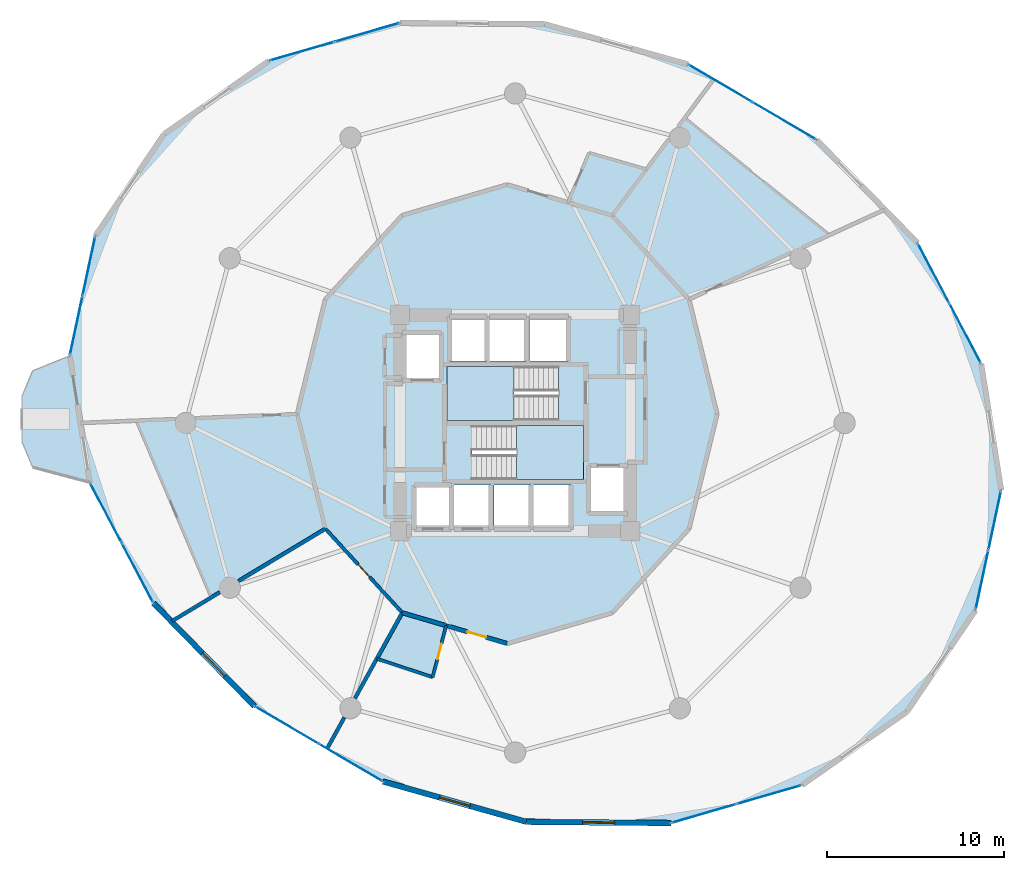
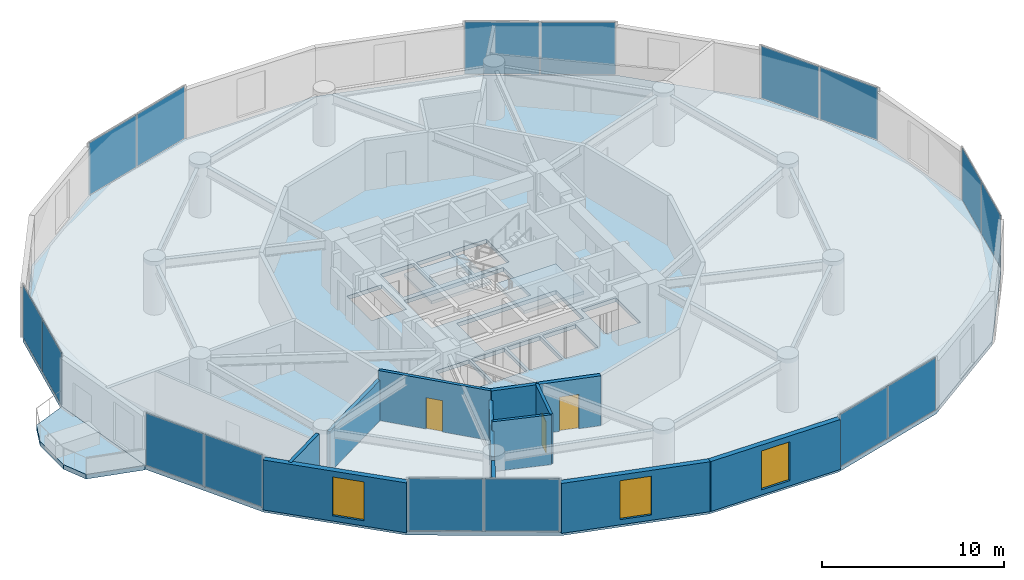
# One storey, part 19 of 24: 16 plates, 12 walls, 4 slabs, 3 doors, 3 windows, 6 openings, 10 elements without a shape of their own.
"""IFC4 building model written with IfcOpenShell, lengths in metres."""

from ifc_helpers import new_model, si_unit, direction, frame, frame_2d, origin, origin_2d, place, context, subcontext, project, spatial, polyline, rectangle, outline, extrude, source, transform, mapped, material, layer, layer_set, type_object, element, fill, aggregate, save


model = new_model("IFC4")

# Units and contexts
model_context = context("Model", 3, precision=1e-05, world=origin(), true_north=direction((0.0, 1.0)))
body_context = subcontext(model_context, "Body", "Model", "MODEL_VIEW")
ifc_project = project(units=[si_unit("LENGTHUNIT", "METRE"), si_unit("AREAUNIT", "SQUARE_METRE"), si_unit("VOLUMEUNIT", "CUBIC_METRE"), si_unit("PLANEANGLEUNIT", "RADIAN"), si_unit("MASSUNIT", "GRAM", prefix="KILO")], contexts=[model_context])

# Site, building, storey
site_placement = place(None, origin())
site = spatial("IfcSite", under=ifc_project, at=site_placement, CompositionType="ELEMENT")
building_placement = place(site_placement, origin())
building = spatial("IfcBuilding", under=site, at=building_placement, Name="Solvirekh Grand Hotel", CompositionType="ELEMENT")
storey_placement = place(building_placement, frame((0.0, 0.0, 82.39990234375)))
storey = spatial("IfcBuildingStorey", under=building, at=storey_placement, Name="L20", CompositionType="ELEMENT", Elevation=82.39990234375)

# Slab
ifc_material_1 = material(Name="Concrete C50/60", Category="concrete")
ifc_layer_1 = layer(ifc_material_1, 0.31005859375)
ifc_layer_set_1 = layer_set([ifc_layer_1], Name="Concrete C50/60")
slab_type_1 = type_object("IfcSlabType", Name="ExtHornSkyGarden_310", PredefinedType="FLOOR", material=ifc_layer_set_1)
slab_1_placement = place(storey_placement, frame((0.0, 0.0, -0.309814453125)))
element("IfcSlab", 1, at=slab_1_placement, inside=storey, type_object=slab_type_1, Name="L20 west horn sky-garden deck", PredefinedType="FLOOR", context=body_context, shape_type="SweptSolid", body=[
    extrude(outline(polyline([(-27.240966796875, 2.93701171875), (-27.841064453125, 1.508056640625), (-27.841064453125, -1.06494140625), (-27.240966796875, -2.493896484375), (-24.011962890625, -3.35107421875), (-25.14111328125, 3.7939453125), (-27.240966796875, 2.93701171875)])), origin(), (0.0, 0.0, 1.0), 0.309814453125),
])

# Stair, slab
ifc_material_2 = material(Name="Concrete C40/50", Category="concrete")
stair_type = type_object("IfcStairType", Name="Stair_Core_1450", PredefinedType="HALF_TURN_STAIR", material=ifc_material_2)
stair_1_placement = place(storey_placement, origin())
stair_1 = element("IfcStair", 2, at=stair_1_placement, inside=storey, type_object=stair_type, Name="L20 Enclosed exit stair ST-1", PredefinedType="HALF_TURN_STAIR")
ifc_layer_2 = layer(ifc_material_2, 0.199951171875)
ifc_layer_set_2 = layer_set([ifc_layer_2], Name="Concrete C40/50")
slab_type_2 = type_object("IfcSlabType", Name="Landing_Stair_200", PredefinedType="LANDING", material=ifc_layer_set_2)
slab_2_placement = place(storey_placement, frame((0.0, 0.0, 1.60009765625)))
slab_2 = element("IfcSlab", 3, at=slab_2_placement, type_object=slab_type_2, Name="ST-1 landing 1", PredefinedType="LANDING", context=body_context, shape_type="SweptSolid", body=[
    extrude(outline(polyline([(0.070068359375, -3.199951171875), (3.85009765625, -3.199951171875), (3.85009765625, -0.14990234375), (0.070068359375, -0.14990234375), (0.070068359375, -3.199951171875)])), origin(), (0.0, 0.0, 1.0), 0.199951171875),
])
aggregate(stair_1, [slab_2])

stair_2_placement = place(storey_placement, origin())
stair_2 = element("IfcStair", 4, at=stair_2_placement, inside=storey, type_object=stair_type, Name="L20 Enclosed exit stair ST-2", PredefinedType="HALF_TURN_STAIR")
slab_3_placement = place(storey_placement, frame((0.0, 0.0, 1.60009765625)))
slab_3 = element("IfcSlab", 5, at=slab_3_placement, type_object=slab_type_2, Name="ST-2 landing 1", PredefinedType="LANDING", context=body_context, shape_type="SweptSolid", body=[
    extrude(outline(polyline([(-0.070068359375, 3.199951171875), (-3.85009765625, 3.199951171875), (-3.85009765625, 0.14990234375), (-0.070068359375, 0.14990234375), (-0.070068359375, 3.199951171875)])), origin(), (0.0, 0.0, 1.0), 0.199951171875),
])
aggregate(stair_2, [slab_3])

# Slab
ifc_layer_3 = layer(ifc_material_1, 0.260009765625)
ifc_layer_set_3 = layer_set([ifc_layer_3], Name="Concrete C50/60")
slab_type_3 = type_object("IfcSlabType", Name="Slab_GuestZ1_260", PredefinedType="FLOOR", material=ifc_layer_set_3)
slab_4_placement = place(storey_placement, frame((0.0, 0.0, -0.260009765625)))
element("IfcSlab", 6, at=slab_4_placement, inside=storey, type_object=slab_type_3, Name="L20 structural floor slab", PredefinedType="FLOOR", context=body_context, shape_type="SweptSolid", body=[
    extrude(outline(polyline([(25.99609375, -10.56689453125), (27.44091796875, -3.7939453125), (26.31201171875, 3.35107421875), (22.719970703125, 10.1669921875), (17.01708984375, 15.989013671875), (9.760009765625, 20.2451171875), (1.660888671875, 22.52001953125), (-6.488037109375, 22.590087890625), (-13.889892578125, 20.448974609375), (-19.819091796875, 16.305908203125), (-23.696044921875, 10.56689453125), (-25.14111328125, 3.7939453125), (-24.011962890625, -3.35107421875), (-20.419921875, -10.1669921875), (-14.717041015625, -15.989013671875), (-7.4599609375, -20.2451171875), (0.638916015625, -22.52001953125), (8.7880859375, -22.590087890625), (16.18994140625, -20.448974609375), (22.118896484375, -16.305908203125), (25.99609375, -10.56689453125)]), holes=[polyline([(-2.444091796875, -0.14990234375), (3.85009765625, -0.14990234375), (3.85009765625, -3.199951171875), (-2.444091796875, -3.199951171875), (-2.444091796875, -0.14990234375)]), polyline([(2.444091796875, 0.14990234375), (-3.85009765625, 0.14990234375), (-3.85009765625, 3.199951171875), (2.444091796875, 3.199951171875), (2.444091796875, 0.14990234375)]), polyline([(-5.699951171875, -3.5), (-3.60009765625, -3.5), (-3.60009765625, -6.0), (-5.699951171875, -6.0), (-5.699951171875, -3.5)]), polyline([(-3.449951171875, -3.5), (-1.35009765625, -3.5), (-1.35009765625, -6.0), (-3.449951171875, -6.0), (-3.449951171875, -3.5)]), polyline([(-1.199951171875, -3.5), (0.89990234375, -3.5), (0.89990234375, -6.0), (-1.199951171875, -6.0), (-1.199951171875, -3.5)]), polyline([(1.050048828125, -3.5), (3.14990234375, -3.5), (3.14990234375, -6.0), (1.050048828125, -6.0), (1.050048828125, -3.5)]), polyline([(-3.699951171875, 6.0), (-1.60009765625, 6.0), (-1.60009765625, 3.5), (-3.699951171875, 3.5), (-3.699951171875, 6.0)]), polyline([(-1.449951171875, 6.0), (0.64990234375, 6.0), (0.64990234375, 3.5), (-1.449951171875, 3.5), (-1.449951171875, 6.0)]), polyline([(0.800048828125, 6.0), (3.0, 6.0), (3.0, 3.5), (0.800048828125, 3.5), (0.800048828125, 6.0)]), polyline([(-6.35009765625, 5.10009765625), (-4.14990234375, 5.10009765625), (-4.14990234375, 2.39990234375), (-6.35009765625, 2.39990234375), (-6.35009765625, 5.10009765625)]), polyline([(4.14990234375, -2.39990234375), (6.35009765625, -2.39990234375), (6.35009765625, -5.10009765625), (4.14990234375, -5.10009765625), (4.14990234375, -2.39990234375)])]), origin(), (0.0, 0.0, 1.0), 0.260009765625),
])

# Curtain wall, plates
ifc_material_3 = material(Name="Anodized Bronze Aluminium 6063-T6", Category="aluminium")
ifc_layer_4 = layer(ifc_material_3, 0.18994140625)
ifc_layer_set_4 = layer_set([ifc_layer_4], Name="Anodized Bronze Aluminium 6063-T6")
curtain_wall_type = type_object("IfcCurtainWallType", Name="CW_Sys2_LowZoneFlushBronzeCW", PredefinedType="NOTDEFINED", material=ifc_layer_set_4)
curtain_wall_1_placement = place(storey_placement, origin())
curtain_wall_1 = element("IfcCurtainWall", 7, at=curtain_wall_1_placement, inside=storey, type_object=curtain_wall_type, Name="L20 unitised bronze-glass curtain wall CW-L20-C05", PredefinedType="NOTDEFINED")
ifc_material_4 = material(Name="Low-E Tinted Bronze Laminated Glass", Category="aluminium")
ifc_layer_5 = layer(ifc_material_4, 0.0380859375)
ifc_layer_set_5 = layer_set([ifc_layer_5], Name="Low-E Tinted Bronze Laminated Glass")
plate_type = type_object("IfcPlateType", Name="CWPanel_Low_38", PredefinedType="CURTAIN_PANEL", material=ifc_layer_set_5)
shared_shape_1 = source(origin(), body_context, "Body", "SweptSolid", [
    extrude(rectangle(XDim=4.1015625, YDim=0.0380859375, at=origin_2d()), origin(), (0.0, 0.0, 1.0), 3.47998046875),
])
plate_1_placement = place(storey_placement, frame((15.187744140625, 17.061767578125, 0.06005859375), z_axis=(0.0, 0.0, 1.0), x_axis=(-0.86259960131, 0.505887267896, 0.0)))
plate_1 = element("IfcPlate", 8, at=plate_1_placement, type_object=plate_type, Name="U02 panel 1.1", PredefinedType="CURTAIN_PANEL", context=body_context, shape_type="MappedRepresentation", body=[
    mapped(shared_shape_1, transform((0.0, 0.0, 0.0), x_axis=(1.0, 0.0, 0.0), y_axis=(0.0, 1.0, 0.0), z_axis=(0.0, 0.0, 1.0), scale=1.0)),
])
plate_2_placement = place(storey_placement, frame((11.58935546875, 19.172119140625, 0.06005859375), z_axis=(0.0, 0.0, 1.0), x_axis=(-0.86259960131, 0.505887267896, 0.0)))
plate_2 = element("IfcPlate", 9, at=plate_2_placement, type_object=plate_type, Name="U02 panel 2.1", PredefinedType="CURTAIN_PANEL", context=body_context, shape_type="MappedRepresentation", body=[
    mapped(shared_shape_1, transform((0.0, 0.0, 0.0), x_axis=(1.0, 0.0, 0.0), y_axis=(0.0, 1.0, 0.0), z_axis=(0.0, 0.0, 1.0), scale=1.0)),
])
aggregate(curtain_wall_1, [plate_1, plate_2])

curtain_wall_2_placement = place(storey_placement, origin())
curtain_wall_2 = element("IfcCurtainWall", 10, at=curtain_wall_2_placement, inside=storey, type_object=curtain_wall_type, Name="L20 unitised bronze-glass curtain wall CW-L20-C15", PredefinedType="NOTDEFINED")
plate_3_placement = place(storey_placement, frame((-12.8876953125, -17.061767578125, 0.06005859375), z_axis=(0.0, 0.0, 1.0), x_axis=(0.86259960131, -0.505887267896, 0.0)))
plate_3 = element("IfcPlate", 11, at=plate_3_placement, type_object=plate_type, Name="U02 panel 1.1", PredefinedType="CURTAIN_PANEL", context=body_context, shape_type="MappedRepresentation", body=[
    mapped(shared_shape_1, transform((0.0, 0.0, 0.0), x_axis=(1.0, 0.0, 0.0), y_axis=(0.0, 1.0, 0.0), z_axis=(0.0, 0.0, 1.0), scale=1.0)),
])
plate_4_placement = place(storey_placement, frame((-9.289306640625, -19.172119140625, 0.06005859375), z_axis=(0.0, 0.0, 1.0), x_axis=(0.86259960131, -0.505887267896, 0.0)))
plate_4 = element("IfcPlate", 12, at=plate_4_placement, type_object=plate_type, Name="U02 panel 2.1", PredefinedType="CURTAIN_PANEL", context=body_context, shape_type="MappedRepresentation", body=[
    mapped(shared_shape_1, transform((0.0, 0.0, 0.0), x_axis=(1.0, 0.0, 0.0), y_axis=(0.0, 1.0, 0.0), z_axis=(0.0, 0.0, 1.0), scale=1.0)),
])
aggregate(curtain_wall_2, [plate_3, plate_4])

curtain_wall_3_placement = place(storey_placement, origin())
curtain_wall_3 = element("IfcCurtainWall", 13, at=curtain_wall_3_placement, inside=storey, type_object=curtain_wall_type, Name="L20 unitised bronze-glass curtain wall CW-L20-C08", PredefinedType="NOTDEFINED")
shared_shape_2 = source(origin(), body_context, "Body", "SweptSolid", [
    extrude(rectangle(XDim=3.747802734375, YDim=0.0380859375, at=origin_2d()), origin(), (0.0, 0.0, 1.0), 3.47998046875),
])
plate_5_placement = place(storey_placement, frame((-8.355224609375, 22.0498046875, 0.06005859375), z_axis=(0.0, 0.0, 1.0), x_axis=(-0.960622622969, -0.277856394995, 0.0)))
plate_5 = element("IfcPlate", 14, at=plate_5_placement, type_object=plate_type, Name="U02 panel 1.1", PredefinedType="CURTAIN_PANEL", context=body_context, shape_type="MappedRepresentation", body=[
    mapped(shared_shape_2, transform((0.0, 0.0, 0.0), x_axis=(1.0, 0.0, 0.0), y_axis=(0.0, 1.0, 0.0), z_axis=(0.0, 0.0, 1.0), scale=1.0)),
])
plate_6_placement = place(storey_placement, frame((-12.022705078125, 20.989013671875, 0.06005859375), z_axis=(0.0, 0.0, 1.0), x_axis=(-0.960622622969, -0.277856394995, 0.0)))
plate_6 = element("IfcPlate", 15, at=plate_6_placement, type_object=plate_type, Name="U02 panel 2.1", PredefinedType="CURTAIN_PANEL", context=body_context, shape_type="MappedRepresentation", body=[
    mapped(shared_shape_2, transform((0.0, 0.0, 0.0), x_axis=(1.0, 0.0, 0.0), y_axis=(0.0, 1.0, 0.0), z_axis=(0.0, 0.0, 1.0), scale=1.0)),
])
aggregate(curtain_wall_3, [plate_5, plate_6])

curtain_wall_4_placement = place(storey_placement, origin())
curtain_wall_4 = element("IfcCurtainWall", 16, at=curtain_wall_4_placement, inside=storey, type_object=curtain_wall_type, Name="L20 unitised bronze-glass curtain wall CW-L20-C18", PredefinedType="NOTDEFINED")
plate_7_placement = place(storey_placement, frame((10.6552734375, -22.0498046875, 0.06005859375), z_axis=(0.0, 0.0, 1.0), x_axis=(0.960622622969, 0.277856394995, 0.0)))
plate_7 = element("IfcPlate", 17, at=plate_7_placement, type_object=plate_type, Name="U02 panel 1.1", PredefinedType="CURTAIN_PANEL", context=body_context, shape_type="MappedRepresentation", body=[
    mapped(shared_shape_2, transform((0.0, 0.0, 0.0), x_axis=(1.0, 0.0, 0.0), y_axis=(0.0, 1.0, 0.0), z_axis=(0.0, 0.0, 1.0), scale=1.0)),
])
plate_8_placement = place(storey_placement, frame((14.32275390625, -20.989013671875, 0.06005859375), z_axis=(0.0, 0.0, 1.0), x_axis=(0.960622622969, 0.277856394995, 0.0)))
plate_8 = element("IfcPlate", 18, at=plate_8_placement, type_object=plate_type, Name="U02 panel 2.1", PredefinedType="CURTAIN_PANEL", context=body_context, shape_type="MappedRepresentation", body=[
    mapped(shared_shape_2, transform((0.0, 0.0, 0.0), x_axis=(1.0, 0.0, 0.0), y_axis=(0.0, 1.0, 0.0), z_axis=(0.0, 0.0, 1.0), scale=1.0)),
])
aggregate(curtain_wall_4, [plate_7, plate_8])

curtain_wall_5_placement = place(storey_placement, origin())
curtain_wall_5 = element("IfcCurtainWall", 19, at=curtain_wall_5_placement, inside=storey, type_object=curtain_wall_type, Name="L20 unitised bronze-glass curtain wall CW-L20-C01", PredefinedType="NOTDEFINED")
shared_shape_3 = source(origin(), body_context, "Body", "SweptSolid", [
    extrude(rectangle(XDim=3.357666015625, YDim=0.0380859375, at=origin_2d()), origin(), (0.0, 0.0, 1.0), 3.47998046875),
])
plate_9_placement = place(storey_placement, frame((26.36083984375, -8.856689453125, 0.06005859375), z_axis=(0.0, 0.0, 1.0), x_axis=(0.208651362001, 0.97799008642, 0.0)))
plate_9 = element("IfcPlate", 20, at=plate_9_placement, type_object=plate_type, Name="U02 panel 1.1", PredefinedType="CURTAIN_PANEL", context=body_context, shape_type="MappedRepresentation", body=[
    mapped(shared_shape_3, transform((0.0, 0.0, 0.0), x_axis=(1.0, 0.0, 0.0), y_axis=(0.0, 1.0, 0.0), z_axis=(0.0, 0.0, 1.0), scale=1.0)),
])
plate_10_placement = place(storey_placement, frame((27.076171875, -5.50439453125, 0.06005859375), z_axis=(0.0, 0.0, 1.0), x_axis=(0.208651362001, 0.97799008642, 0.0)))
plate_10 = element("IfcPlate", 21, at=plate_10_placement, type_object=plate_type, Name="U02 panel 2.1", PredefinedType="CURTAIN_PANEL", context=body_context, shape_type="MappedRepresentation", body=[
    mapped(shared_shape_3, transform((0.0, 0.0, 0.0), x_axis=(1.0, 0.0, 0.0), y_axis=(0.0, 1.0, 0.0), z_axis=(0.0, 0.0, 1.0), scale=1.0)),
])
aggregate(curtain_wall_5, [plate_9, plate_10])

curtain_wall_6_placement = place(storey_placement, origin())
curtain_wall_6 = element("IfcCurtainWall", 22, at=curtain_wall_6_placement, inside=storey, type_object=curtain_wall_type, Name="L20 unitised bronze-glass curtain wall CW-L20-C11", PredefinedType="NOTDEFINED")
plate_11_placement = place(storey_placement, frame((-24.060791015625, 8.856689453125, 0.06005859375), z_axis=(0.0, 0.0, 1.0), x_axis=(-0.208651362001, -0.97799008642, 0.0)))
plate_11 = element("IfcPlate", 23, at=plate_11_placement, type_object=plate_type, Name="U02 panel 1.1", PredefinedType="CURTAIN_PANEL", context=body_context, shape_type="MappedRepresentation", body=[
    mapped(shared_shape_3, transform((0.0, 0.0, 0.0), x_axis=(1.0, 0.0, 0.0), y_axis=(0.0, 1.0, 0.0), z_axis=(0.0, 0.0, 1.0), scale=1.0)),
])
plate_12_placement = place(storey_placement, frame((-24.776123046875, 5.50439453125, 0.06005859375), z_axis=(0.0, 0.0, 1.0), x_axis=(-0.208651362001, -0.97799008642, 0.0)))
plate_12 = element("IfcPlate", 24, at=plate_12_placement, type_object=plate_type, Name="U02 panel 2.1", PredefinedType="CURTAIN_PANEL", context=body_context, shape_type="MappedRepresentation", body=[
    mapped(shared_shape_3, transform((0.0, 0.0, 0.0), x_axis=(1.0, 0.0, 0.0), y_axis=(0.0, 1.0, 0.0), z_axis=(0.0, 0.0, 1.0), scale=1.0)),
])
aggregate(curtain_wall_6, [plate_11, plate_12])

curtain_wall_7_placement = place(storey_placement, origin())
curtain_wall_7 = element("IfcCurtainWall", 25, at=curtain_wall_7_placement, inside=storey, type_object=curtain_wall_type, Name="L20 unitised bronze-glass curtain wall CW-L20-C03", PredefinedType="NOTDEFINED")
shared_shape_4 = source(origin(), body_context, "Body", "SweptSolid", [
    extrude(rectangle(XDim=3.747314453125, YDim=0.0380859375, at=origin_2d()), origin(), (0.0, 0.0, 1.0), 3.47998046875),
])
plate_13_placement = place(storey_placement, frame((25.40576171875, 5.070556640625, 0.06005859375), z_axis=(0.0, 0.0, 1.0), x_axis=(-0.466217113569, 0.884670335784, 0.0)))
plate_13 = element("IfcPlate", 26, at=plate_13_placement, type_object=plate_type, Name="U02 panel 1.1", PredefinedType="CURTAIN_PANEL", context=body_context, shape_type="MappedRepresentation", body=[
    mapped(shared_shape_4, transform((0.0, 0.0, 0.0), x_axis=(1.0, 0.0, 0.0), y_axis=(0.0, 1.0, 0.0), z_axis=(0.0, 0.0, 1.0), scale=1.0)),
])
plate_14_placement = place(storey_placement, frame((23.626220703125, 8.447509765625, 0.06005859375), z_axis=(0.0, 0.0, 1.0), x_axis=(-0.466217113569, 0.884670335784, 0.0)))
plate_14 = element("IfcPlate", 27, at=plate_14_placement, type_object=plate_type, Name="U02 panel 2.1", PredefinedType="CURTAIN_PANEL", context=body_context, shape_type="MappedRepresentation", body=[
    mapped(shared_shape_4, transform((0.0, 0.0, 0.0), x_axis=(1.0, 0.0, 0.0), y_axis=(0.0, 1.0, 0.0), z_axis=(0.0, 0.0, 1.0), scale=1.0)),
])
aggregate(curtain_wall_7, [plate_13, plate_14])

curtain_wall_8_placement = place(storey_placement, origin())
curtain_wall_8 = element("IfcCurtainWall", 28, at=curtain_wall_8_placement, inside=storey, type_object=curtain_wall_type, Name="L20 unitised bronze-glass curtain wall CW-L20-C13", PredefinedType="NOTDEFINED")
plate_15_placement = place(storey_placement, frame((-23.10595703125, -5.070556640625, 0.06005859375), z_axis=(0.0, 0.0, 1.0), x_axis=(0.466217113569, -0.884670335784, 0.0)))
plate_15 = element("IfcPlate", 29, at=plate_15_placement, type_object=plate_type, Name="U02 panel 1.1", PredefinedType="CURTAIN_PANEL", context=body_context, shape_type="MappedRepresentation", body=[
    mapped(shared_shape_4, transform((0.0, 0.0, 0.0), x_axis=(1.0, 0.0, 0.0), y_axis=(0.0, 1.0, 0.0), z_axis=(0.0, 0.0, 1.0), scale=1.0)),
])
plate_16_placement = place(storey_placement, frame((-21.326171875, -8.447509765625, 0.06005859375), z_axis=(0.0, 0.0, 1.0), x_axis=(0.466217113569, -0.884670335784, 0.0)))
plate_16 = element("IfcPlate", 30, at=plate_16_placement, type_object=plate_type, Name="U02 panel 2.1", PredefinedType="CURTAIN_PANEL", context=body_context, shape_type="MappedRepresentation", body=[
    mapped(shared_shape_4, transform((0.0, 0.0, 0.0), x_axis=(1.0, 0.0, 0.0), y_axis=(0.0, 1.0, 0.0), z_axis=(0.0, 0.0, 1.0), scale=1.0)),
])
aggregate(curtain_wall_8, [plate_15, plate_16])

# Wall, opening, window
ifc_material_5 = material(Name="Precast concrete C45/55", Category="concrete")
ifc_layer_6 = layer(ifc_material_5, 0.320068359375)
ifc_layer_set_6 = layer_set([ifc_layer_6], Name="Precast concrete C45/55")
wall_type_1 = type_object("IfcWallType", Name="ExtLobbyWall_RC320", PredefinedType="SOLIDWALL", material=ifc_layer_set_6)
wall_1_placement = place(storey_placement, frame((-14.717041015625, -15.989013671875, 0.0), z_axis=(0.0, 0.0, 1.0), x_axis=(-0.699759555634, 0.714378446132, 0.0)))
wall_1 = element("IfcWall", 31, at=wall_1_placement, inside=storey, type_object=wall_type_1, Name="L20 exterior structural wall chord 14", PredefinedType="SOLIDWALL", context=body_context, shape_type="SweptSolid", body=[
    extrude(rectangle(XDim=8.149658203125, YDim=0.320068359375, at=frame_2d((4.07470703125, 0.0))), origin(), (0.0, 0.0, 1.0), 3.340087890625),
])
opening_1_placement = place(wall_1_placement, frame((2.39501953125, 0.0, 0.35009765625)))
opening_1 = element("IfcOpeningElement", 32, at=opening_1_placement, cuts=wall_1, Name="Opening W02", PredefinedType="OPENING", context=body_context, shape_type="SweptSolid", body=[
    extrude(rectangle(XDim=1.800048828125, YDim=2.60009765625, at=frame_2d((0.89990234375, 1.300048828125))), frame((0.0, 0.169921875, 0.0), z_axis=(0.0, -1.0, 0.0), x_axis=(1.0, 0.0, 0.0)), (0.0, 0.0, 1.0), 0.340087890625),
])
window_type = type_object("IfcWindowType", Name="Win_LobbyExt_1800X2600", PartitioningType="SINGLE_PANEL", PredefinedType="WINDOW", material=ifc_material_4)
window_1_placement = place(opening_1_placement, origin())
window_1 = element("IfcWindow", 33, at=window_1_placement, inside=storey, type_object=window_type, Name="L20 panoramic bronze-framed window 14", OverallHeight=2.60009765625, OverallWidth=1.800048828125, PartitioningType="SINGLE_PANEL", PredefinedType="WINDOW", context=body_context, shape_type="SweptSolid", body=[
    extrude(rectangle(XDim=1.800048828125, YDim=2.60009765625, at=frame_2d((0.89990234375, 1.300048828125))), frame((0.0, 0.030029296875, 0.0), z_axis=(0.0, -1.0, 0.0), x_axis=(1.0, 0.0, 0.0)), (0.0, 0.0, 1.0), 0.06005859375),
])
fill(opening_1, window_1)

wall_2_placement = place(storey_placement, frame((0.638916015625, -22.52001953125, 0.0), z_axis=(0.0, 0.0, 1.0), x_axis=(-0.962740946474, 0.270425350111, 0.0)))
wall_2 = element("IfcWall", 34, at=wall_2_placement, inside=storey, type_object=wall_type_1, Name="L20 exterior structural wall chord 16", PredefinedType="SOLIDWALL", context=body_context, shape_type="SweptSolid", body=[
    extrude(rectangle(XDim=8.412353515625, YDim=0.320068359375, at=frame_2d((4.2060546875, 0.0))), origin(), (0.0, 0.0, 1.0), 3.340087890625),
])
opening_2_placement = place(wall_2_placement, frame((3.305908203125, 0.0, 0.35009765625)))
opening_2 = element("IfcOpeningElement", 35, at=opening_2_placement, cuts=wall_2, Name="Opening W02", PredefinedType="OPENING", context=body_context, shape_type="SweptSolid", body=[
    extrude(rectangle(XDim=1.800048828125, YDim=2.60009765625, at=frame_2d((0.89990234375, 1.300048828125))), frame((0.0, 0.169921875, 0.0), z_axis=(0.0, -1.0, 0.0), x_axis=(1.0, 0.0, 0.0)), (0.0, 0.0, 1.0), 0.340087890625),
])
window_2_placement = place(opening_2_placement, origin())
window_2 = element("IfcWindow", 36, at=window_2_placement, inside=storey, type_object=window_type, Name="L20 panoramic bronze-framed window 16", OverallHeight=2.60009765625, OverallWidth=1.800048828125, PartitioningType="SINGLE_PANEL", PredefinedType="WINDOW", context=body_context, shape_type="SweptSolid", body=[
    extrude(rectangle(XDim=1.800048828125, YDim=2.60009765625, at=frame_2d((0.89990234375, 1.300048828125))), frame((0.0, 0.030029296875, 0.0), z_axis=(0.0, -1.0, 0.0), x_axis=(1.0, 0.0, 0.0)), (0.0, 0.0, 1.0), 0.06005859375),
])
fill(opening_2, window_2)

wall_3_placement = place(storey_placement, frame((8.7880859375, -22.590087890625, 0.0), z_axis=(0.0, 0.0, 1.0), x_axis=(-0.999963037352, 0.008597902625, 0.0)))
wall_3 = element("IfcWall", 37, at=wall_3_placement, inside=storey, type_object=wall_type_1, Name="L20 exterior structural wall chord 17", PredefinedType="SOLIDWALL", context=body_context, shape_type="SweptSolid", body=[
    extrude(rectangle(XDim=8.1494140625, YDim=0.320068359375, at=frame_2d((4.07470703125, 0.0))), origin(), (0.0, 0.0, 1.0), 3.340087890625),
])
opening_3_placement = place(wall_3_placement, frame((3.175048828125, 0.0, 0.35009765625)))
opening_3 = element("IfcOpeningElement", 38, at=opening_3_placement, cuts=wall_3, Name="Opening W02", PredefinedType="OPENING", context=body_context, shape_type="SweptSolid", body=[
    extrude(rectangle(XDim=1.800048828125, YDim=2.60009765625, at=frame_2d((0.89990234375, 1.300048828125))), frame((0.0, 0.169921875, 0.0), z_axis=(0.0, -1.0, 0.0), x_axis=(1.0, 0.0, 0.0)), (0.0, 0.0, 1.0), 0.340087890625),
])
window_3_placement = place(opening_3_placement, origin())
window_3 = element("IfcWindow", 39, at=window_3_placement, inside=storey, type_object=window_type, Name="L20 panoramic bronze-framed window 17", OverallHeight=2.60009765625, OverallWidth=1.800048828125, PartitioningType="SINGLE_PANEL", PredefinedType="WINDOW", context=body_context, shape_type="SweptSolid", body=[
    extrude(rectangle(XDim=1.800048828125, YDim=2.60009765625, at=frame_2d((0.89990234375, 1.300048828125))), frame((0.0, 0.030029296875, 0.0), z_axis=(0.0, -1.0, 0.0), x_axis=(1.0, 0.0, 0.0)), (0.0, 0.0, 1.0), 0.06005859375),
])
fill(opening_3, window_3)

# Wall
ifc_material_6 = material(Name="Acoustic Gypsum Partition Assembly")
ifc_layer_7 = layer(ifc_material_6, 0.239990234375)
ifc_layer_set_7 = layer_set([ifc_layer_7], Name="Acoustic Gypsum Partition Assembly")
wall_type_2 = type_object("IfcWallType", Name="Part_Corridor_240", PredefinedType="PARTITIONING", material=ifc_layer_set_7)
wall_4_placement = place(storey_placement, frame((-6.375, -10.715087890625, 0.0), z_axis=(0.0, 0.0, 1.0), x_axis=(0.959654395115, -0.281182221942, 0.0)))
element("IfcWall", 40, at=wall_4_placement, inside=storey, type_object=wall_type_2, Name="L20 En-suite Bathroom 2201 corridor backing wall", PredefinedType="PARTITIONING", context=body_context, shape_type="SweptSolid", body=[
    extrude(rectangle(XDim=2.592529296875, YDim=0.239990234375, at=frame_2d((1.29638671875, 0.0))), origin(), (0.0, 0.0, 1.0), 3.340087890625),
])

# Wall, opening, door
wall_5_placement = place(storey_placement, frame((-3.886962890625, -11.444091796875, 0.0), z_axis=(0.0, 0.0, 1.0), x_axis=(0.959744578907, -0.280874248124, 0.0)))
wall_5 = element("IfcWall", 41, at=wall_5_placement, inside=storey, type_object=wall_type_2, Name="L20 Presidential Suite 2201 Living Room entrance wall", PredefinedType="PARTITIONING", context=body_context, shape_type="SweptSolid", body=[
    extrude(rectangle(XDim=3.5810546875, YDim=0.239990234375, at=frame_2d((1.79052734375, 0.0))), origin(), (0.0, 0.0, 1.0), 3.340087890625),
])
opening_4_placement = place(wall_5_placement, frame((1.240966796875, 0.0, 0.0)))
opening_4 = element("IfcOpeningElement", 42, at=opening_4_placement, cuts=wall_5, Name="Opening D08", PredefinedType="OPENING", context=body_context, shape_type="SweptSolid", body=[
    extrude(rectangle(XDim=1.10009765625, YDim=2.300048828125, at=frame_2d((0.550048828125, 1.14990234375))), frame((0.0, 0.1298828125, 0.0), z_axis=(0.0, -1.0, 0.0), x_axis=(1.0, 0.0, 0.0)), (0.0, 0.0, 1.0), 0.260009765625),
])
ifc_material_7 = material(Name="Fire-Rated Steel Door Assembly", Category="steel")
door_type_1 = type_object("IfcDoorType", Name="Door_SuiteEntry_1100X2300", OperationType="NOTDEFINED", PredefinedType="DOOR", material=ifc_material_7)
door_1_placement = place(opening_4_placement, origin())
door_1 = element("IfcDoor", 43, at=door_1_placement, inside=storey, type_object=door_type_1, Name="L20 Presidential Suite 2201 Living Room entrance door", OperationType="SINGLE_SWING_RIGHT", OverallHeight=2.300048828125, OverallWidth=1.10009765625, PredefinedType="DOOR", context=body_context, shape_type="SweptSolid", body=[
    extrude(rectangle(XDim=1.10009765625, YDim=2.300048828125, at=frame_2d((0.550048828125, 1.14990234375))), frame((0.0, 0.02490234375, 0.0), z_axis=(0.0, -1.0, 0.0), x_axis=(1.0, 0.0, 0.0)), (0.0, 0.0, 1.0), 0.050048828125),
])
fill(opening_4, door_1)

ifc_layer_8 = layer(ifc_material_6, 0.18994140625)
ifc_layer_set_8 = layer_set([ifc_layer_8], Name="Acoustic Gypsum Partition Assembly")
wall_type_3 = type_object("IfcWallType", Name="Part_GuestDemise_190", PredefinedType="PARTITIONING", material=ifc_layer_set_8)
wall_6_placement = place(storey_placement, frame((-10.7119140625, -5.97509765625, 0.0), z_axis=(0.0, 0.0, 1.0), x_axis=(0.675041189424, -0.737780043496, 0.0)))
wall_6 = element("IfcWall", 44, at=wall_6_placement, inside=storey, type_object=wall_type_3, Name="L20 L20 Cigar & Cognac Lounge entrance wall", PredefinedType="PARTITIONING", context=body_context, shape_type="SweptSolid", body=[
    extrude(rectangle(XDim=6.424560546875, YDim=0.18994140625, at=frame_2d((3.21240234375, 0.0))), origin(), (0.0, 0.0, 1.0), 3.340087890625),
])
opening_5_placement = place(wall_6_placement, frame((2.737060546875, 0.0, 0.0)))
opening_5 = element("IfcOpeningElement", 45, at=opening_5_placement, cuts=wall_6, Name="Opening D10", PredefinedType="OPENING", context=body_context, shape_type="SweptSolid", body=[
    extrude(rectangle(XDim=0.949951171875, YDim=2.10009765625, at=frame_2d((0.47509765625, 1.050048828125))), frame((0.0, 0.10498046875, 0.0), z_axis=(0.0, -1.0, 0.0), x_axis=(1.0, 0.0, 0.0)), (0.0, 0.0, 1.0), 0.2099609375),
])
door_type_2 = type_object("IfcDoorType", Name="Door_RoomInt_950X2100", OperationType="NOTDEFINED", PredefinedType="DOOR", material=ifc_material_3)
door_2_placement = place(opening_5_placement, origin())
door_2 = element("IfcDoor", 46, at=door_2_placement, inside=storey, type_object=door_type_2, Name="L20 L20 Cigar & Cognac Lounge entrance door", OperationType="SINGLE_SWING_LEFT", OverallHeight=2.10009765625, OverallWidth=0.949951171875, PredefinedType="DOOR", context=body_context, shape_type="SweptSolid", body=[
    extrude(rectangle(XDim=0.949951171875, YDim=2.10009765625, at=frame_2d((0.47509765625, 1.050048828125))), frame((0.0, 0.02490234375, 0.0), z_axis=(0.0, -1.0, 0.0), x_axis=(1.0, 0.0, 0.0)), (0.0, 0.0, 1.0), 0.050048828125),
])
fill(opening_5, door_2)

# Walls
ifc_layer_9 = layer(ifc_material_6, 0.2099609375)
ifc_layer_set_9 = layer_set([ifc_layer_9], Name="Acoustic Gypsum Partition Assembly")
wall_type_4 = type_object("IfcWallType", Name="Part_SuiteDemise_210", PredefinedType="PARTITIONING", material=ifc_layer_set_9)
wall_7_placement = place(storey_placement, frame((-10.7119140625, -5.97509765625, 0.0), z_axis=(0.0, 0.0, 1.0), x_axis=(-0.856942745573, -0.515411612995, 0.0)))
element("IfcWall", 47, at=wall_7_placement, inside=storey, type_object=wall_type_4, Name="L20 suite radial wall 8 (A)", PredefinedType="PARTITIONING", context=body_context, shape_type="SweptSolid", body=[
    extrude(rectangle(XDim=5.7216796875, YDim=0.2099609375, at=frame_2d((2.86083984375, 0.0))), origin(), (0.0, 0.0, 1.0), 2.708984375),
])
wall_8_placement = place(storey_placement, frame((-16.6708984375, -9.56005859375, 0.0), z_axis=(0.0, 0.0, 1.0), x_axis=(-0.857000088, -0.515316261308, 0.0)))
element("IfcWall", 48, at=wall_8_placement, inside=storey, type_object=wall_type_4, Name="L20 suite radial wall 8 (B)", PredefinedType="PARTITIONING", context=body_context, shape_type="SweptSolid", body=[
    extrude(rectangle(XDim=3.149658203125, YDim=0.2099609375, at=frame_2d((1.57470703125, 0.0))), origin(), (0.0, 0.0, 1.0), 3.340087890625),
])
wall_9_placement = place(storey_placement, frame((-6.375, -10.715087890625, 0.0), z_axis=(0.0, 0.0, 1.0), x_axis=(-0.483736956868, -0.87521343486, 0.0)))
element("IfcWall", 49, at=wall_9_placement, inside=storey, type_object=wall_type_4, Name="L20 suite radial wall 9 (A)", PredefinedType="PARTITIONING", context=body_context, shape_type="SweptSolid", body=[
    extrude(rectangle(XDim=5.517333984375, YDim=0.2099609375, at=frame_2d((2.7587890625, 0.0))), origin(), (0.0, 0.0, 1.0), 2.708984375),
])
wall_10_placement = place(storey_placement, frame((-9.64111328125, -16.625, 0.0), z_axis=(0.0, 0.0, 1.0), x_axis=(-0.483820327202, -0.875167350275, 0.0)))
element("IfcWall", 50, at=wall_10_placement, inside=storey, type_object=wall_type_4, Name="L20 suite radial wall 9 (B)", PredefinedType="PARTITIONING", context=body_context, shape_type="SweptSolid", body=[
    extrude(rectangle(XDim=1.97998046875, YDim=0.2099609375, at=frame_2d((0.989990234375, 0.0))), origin(), (0.0, 0.0, 1.0), 3.340087890625),
])
ifc_layer_10 = layer(ifc_material_6, 0.175048828125)
ifc_layer_set_10 = layer_set([ifc_layer_10], Name="Acoustic Gypsum Partition Assembly")
wall_type_5 = type_object("IfcWallType", Name="Plumb_Ensuite_175", PredefinedType="PLUMBINGWALL", material=ifc_layer_set_10)
wall_11_placement = place(storey_placement, frame((-7.81103515625, -13.31396484375, 0.0), z_axis=(0.0, 0.0, 1.0), x_axis=(0.949407883898, -0.314045649536, 0.0)))
element("IfcWall", 51, at=wall_11_placement, inside=storey, type_object=wall_type_5, Name="L20 En-suite Bathroom 2201 outer plumbing wall", PredefinedType="PLUMBINGWALL", context=body_context, shape_type="SweptSolid", body=[
    extrude(rectangle(XDim=3.32421875, YDim=0.175048828125, at=frame_2d((1.662109375, 0.0))), origin(), (0.0, 0.0, 1.0), 3.340087890625),
])

# Wall, opening, door
wall_12_placement = place(storey_placement, frame((-3.886962890625, -11.444091796875, 0.0), z_axis=(0.0, 0.0, 1.0), x_axis=(-0.254888091866, -0.966970558303, 0.0)))
wall_12 = element("IfcWall", 52, at=wall_12_placement, inside=storey, type_object=wall_type_5, Name="L20 En-suite Bathroom 2201 entry plumbing wall", PredefinedType="PLUMBINGWALL", context=body_context, shape_type="SweptSolid", body=[
    extrude(rectangle(XDim=3.013427734375, YDim=0.175048828125, at=frame_2d((1.5068359375, 0.0))), origin(), (0.0, 0.0, 1.0), 3.340087890625),
])
opening_6_placement = place(wall_12_placement, frame((1.056884765625, 0.0, 0.0)))
opening_6 = element("IfcOpeningElement", 53, at=opening_6_placement, cuts=wall_12, Name="Opening D09", PredefinedType="OPENING", context=body_context, shape_type="SweptSolid", body=[
    extrude(rectangle(XDim=0.89990234375, YDim=2.10009765625, at=frame_2d((0.449951171875, 1.050048828125))), frame((0.0, 0.09765625, 0.0), z_axis=(0.0, -1.0, 0.0), x_axis=(1.0, 0.0, 0.0)), (0.0, 0.0, 1.0), 0.195068359375),
])
door_type_3 = type_object("IfcDoorType", Name="Door_Ensuite_900X2100", OperationType="NOTDEFINED", PredefinedType="DOOR", material=ifc_material_3)
door_3_placement = place(opening_6_placement, origin())
door_3 = element("IfcDoor", 54, at=door_3_placement, inside=storey, type_object=door_type_3, Name="L20 En-suite Bathroom 2201 door", OperationType="SINGLE_SWING_LEFT", OverallHeight=2.10009765625, OverallWidth=0.89990234375, PredefinedType="DOOR", context=body_context, shape_type="SweptSolid", body=[
    extrude(rectangle(XDim=0.89990234375, YDim=2.10009765625, at=frame_2d((0.449951171875, 1.050048828125))), frame((0.0, 0.02490234375, 0.0), z_axis=(0.0, -1.0, 0.0), x_axis=(1.0, 0.0, 0.0)), (0.0, 0.0, 1.0), 0.050048828125),
])
fill(opening_6, door_3)

save(model, "model.ifc")
